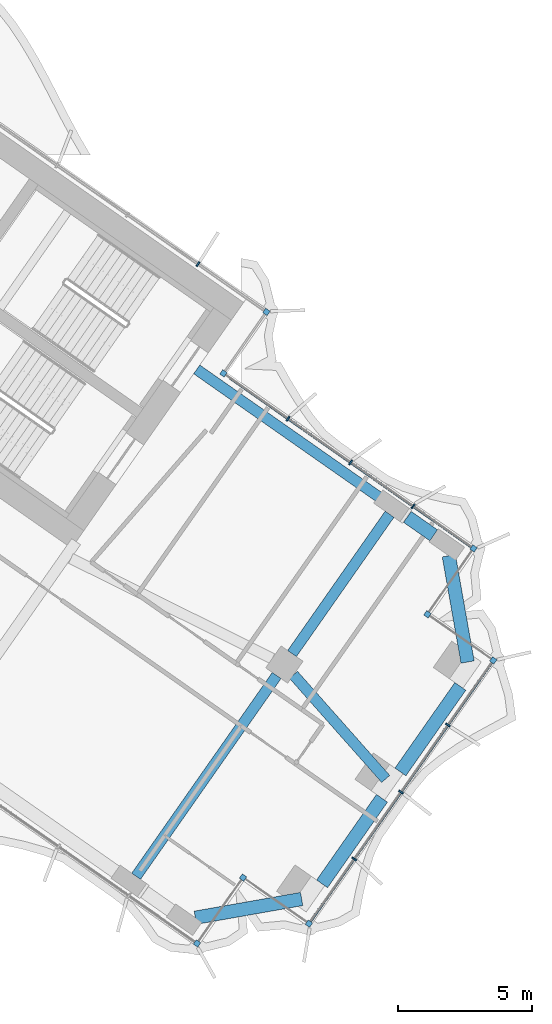
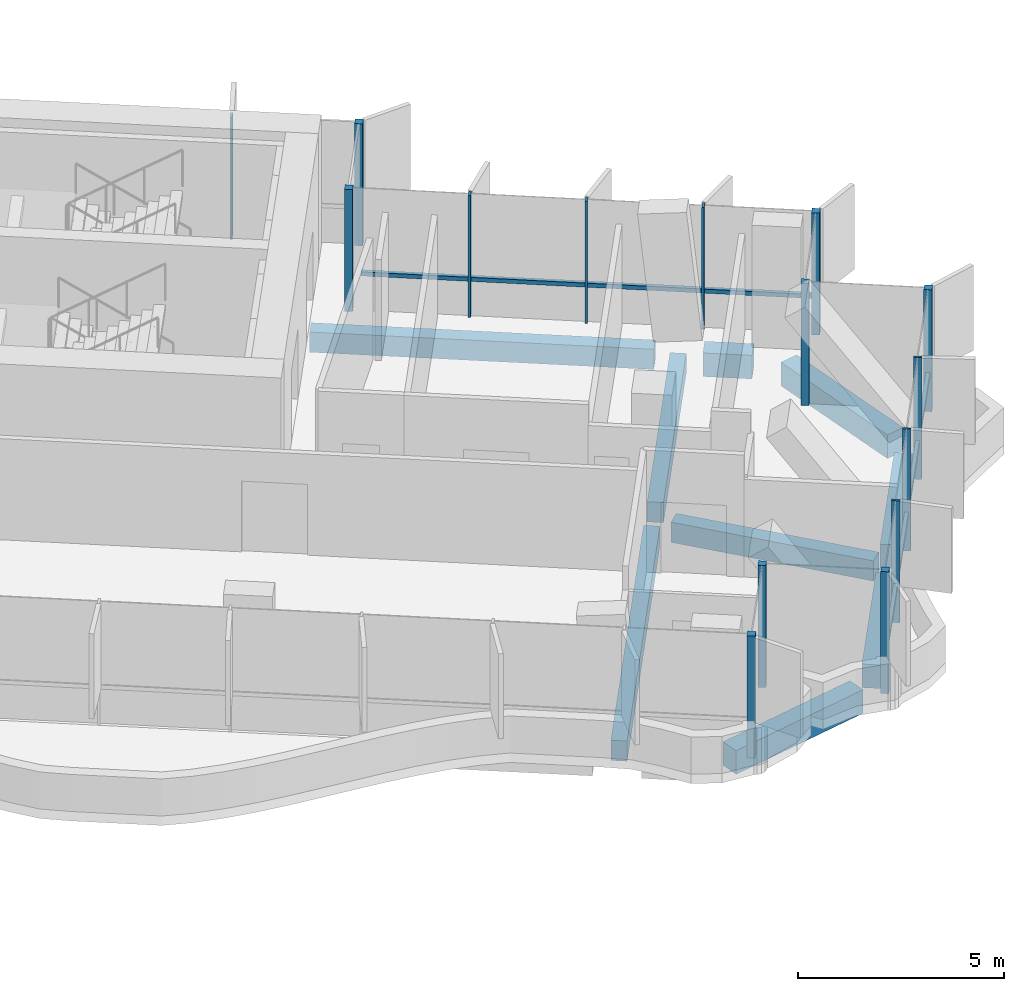
# One storey, part 11 of 23: 17 members, 9 beams, 2 elements without a shape of their own.
"""IFC4 building model written with IfcOpenShell, lengths in metres."""

from ifc_helpers import new_model, si_unit, direction, frame, origin, origin_2d, place, context, subcontext, project, spatial, rectangle, extrude, material, material_profile, profile_set, type_object, element, aggregate, save


model = new_model("IFC4")

# Units and contexts
model_context = context("Model", 3, precision=1e-05, world=origin(), true_north=direction((0.0, 1.0)))
body_context = subcontext(model_context, "Body", "Model", "MODEL_VIEW")
ifc_project = project(units=[si_unit("LENGTHUNIT", "METRE"), si_unit("AREAUNIT", "SQUARE_METRE"), si_unit("VOLUMEUNIT", "CUBIC_METRE"), si_unit("PLANEANGLEUNIT", "RADIAN"), si_unit("MASSUNIT", "GRAM", prefix="KILO")], contexts=[model_context])

# Site, building, storey
site_placement = place(None, origin())
site = spatial("IfcSite", under=ifc_project, at=site_placement, CompositionType="ELEMENT")
building_placement = place(site_placement, origin())
building = spatial("IfcBuilding", under=site, at=building_placement, Name="Tel Ilan Convention Tower", CompositionType="ELEMENT")
storey_placement = place(building_placement, frame((0.0, 0.0, 186.60009765625)))
storey = spatial("IfcBuildingStorey", under=building, at=storey_placement, Name="L43", CompositionType="ELEMENT", Elevation=186.60009765625)

# Beams
ifc_material_1 = material(Name="Concrete C40/50", Category="concrete")
ifc_material_profile_1 = material_profile(ifc_material_1, rectangle(XDim=0.39990234375, YDim=0.60009765625, at=origin_2d()), Name="RC 400x600")
ifc_profile_set_1 = profile_set([ifc_material_profile_1], Name="Concrete C40/50")
beam_type_1 = type_object("IfcBeamType", Name="Beam RC 400x600 Concrete C40/50", PredefinedType="BEAM", material=ifc_profile_set_1)
beam_1_placement = place(storey_placement, frame((33.09912109375, -14.44775390625, -0.580078125), z_axis=(-0.819147254605, 0.573583276668, 0.0), x_axis=(-0.573583276668, -0.819147254605, 0.0)))
element("IfcBeam", 1, at=beam_1_placement, inside=storey, type_object=beam_type_1, Name="L43 beam E-E-B4-core", PredefinedType="BEAM", context=body_context, shape_type="SweptSolid", body=[
    extrude(rectangle(XDim=0.39990234375, YDim=0.60009765625, at=origin_2d()), origin(), (0.0, 0.0, 1.0), 8.400146484375),
])
beam_2_placement = place(storey_placement, frame((29.830322265625, -21.03369140625, -0.580078125), z_axis=(0.663175252401, -0.748464150512, 0.0), x_axis=(0.748464150512, 0.663175252401, 0.0)))
element("IfcBeam", 2, at=beam_2_placement, inside=storey, type_object=beam_type_1, Name="L43 beam E-E-M4-end", PredefinedType="BEAM", context=body_context, shape_type="SweptSolid", body=[
    extrude(rectangle(XDim=0.39990234375, YDim=0.60009765625, at=origin_2d()), origin(), (0.0, 0.0, 1.0), 5.192626953125),
])
beam_3_placement = place(storey_placement, frame((29.20263671875, -21.058349609375, -0.580078125), z_axis=(-0.573557249804, -0.819165478519, 0.0), x_axis=(0.819165478519, -0.573557249804, 0.0)))
element("IfcBeam", 3, at=beam_3_placement, inside=storey, type_object=beam_type_1, Name="L43 beam E-E-M4-E-F4", PredefinedType="BEAM", context=body_context, shape_type="SweptSolid", body=[
    extrude(rectangle(XDim=0.39990234375, YDim=0.60009765625, at=origin_2d()), origin(), (0.0, 0.0, 1.0), 9.14990234375),
])
beam_4_placement = place(storey_placement, frame((29.7763671875, -20.2392578125, -0.580078125), z_axis=(0.573560394383, 0.819163276762, 0.0), x_axis=(-0.819163276762, 0.573560394383, 0.0)))
element("IfcBeam", 4, at=beam_4_placement, inside=storey, type_object=beam_type_1, Name="L43 beam E-E-M4-E-B4", PredefinedType="BEAM", context=body_context, shape_type="SweptSolid", body=[
    extrude(rectangle(XDim=0.39990234375, YDim=0.60009765625, at=origin_2d()), origin(), (0.0, 0.0, 1.0), 6.349853515625),
])
ifc_material_2 = material(Name="Concrete C40/50", Category="concrete")
ifc_material_profile_2 = material_profile(ifc_material_2, rectangle(XDim=0.5, YDim=0.699951171875, at=origin_2d()), Name="RC 500x700")
ifc_profile_set_2 = profile_set([ifc_material_profile_2], Name="Concrete C40/50")
beam_type_2 = type_object("IfcBeamType", Name="Beam RC 500x700 Concrete C40/50", PredefinedType="BEAM", material=ifc_profile_set_2)
beam_5_placement = place(storey_placement, frame((26.166259765625, -30.102294921875, -0.630126953125), z_axis=(0.984804894423, 0.173664388751, 0.0), x_axis=(-0.173664388751, 0.984804894423, 0.0)))
element("IfcBeam", 5, at=beam_5_placement, inside=storey, type_object=beam_type_2, Name="L43 beam E-E-FC-E-E1", PredefinedType="BEAM", context=body_context, shape_type="SweptSolid", body=[
    extrude(rectangle(XDim=0.5, YDim=0.699951171875, at=origin_2d()), origin(), (0.0, 0.0, 1.0), 4.030517578125),
])
for number, where, z_axis, x_axis, name in (
    (6, (30.8974609375, -28.837158203125, -0.630126953125), (0.573609383536, 0.819128973434, 0.0), (-0.819128973434, 0.573609383536, 0.0), "L43 beam E-E-E1-E-E2"),
    (7, (33.82275390625, -24.659423828125, -0.630126953125), (0.573567378001, 0.81915838694, 0.0), (-0.81915838694, 0.573567378001, 0.0), "L43 beam E-E-E2-E-E3"),
):
    element("IfcBeam", number, at=place(storey_placement, frame(where, z_axis=z_axis, x_axis=x_axis)), inside=storey, type_object=beam_type_2, Name=name, PredefinedType="BEAM", context=body_context, shape_type="SweptSolid", body=[
        extrude(rectangle(XDim=0.5, YDim=0.699951171875, at=origin_2d()), origin(), (0.0, 0.0, 1.0), 3.89990234375),
    ])
beam_6_placement = place(storey_placement, frame((36.330078125, -20.555419921875, -0.630126953125), z_axis=(-0.173664388751, 0.984804894423, 0.0), x_axis=(-0.984804894423, -0.173664388751, 0.0)))
element("IfcBeam", 8, at=beam_6_placement, inside=storey, type_object=beam_type_2, Name="L43 beam E-E-E3-E-BC", PredefinedType="BEAM", context=body_context, shape_type="SweptSolid", body=[
    extrude(rectangle(XDim=0.5, YDim=0.699951171875, at=origin_2d()), origin(), (0.0, 0.0, 1.0), 4.030517578125),
])
beam_7_placement = place(storey_placement, frame((35.06494140625, -15.82421875, -0.630126953125), z_axis=(-0.819155442668, 0.573571582932, 0.0), x_axis=(-0.573571582932, -0.819155442668, 0.0)))
element("IfcBeam", 9, at=beam_7_placement, inside=storey, type_object=beam_type_2, Name="L43 beam E-E-BC-E-B4", PredefinedType="BEAM", context=body_context, shape_type="SweptSolid", body=[
    extrude(rectangle(XDim=0.5, YDim=0.699951171875, at=origin_2d()), origin(), (0.0, 0.0, 1.0), 1.199951171875),
])

# Curtain wall, members
ifc_material_3 = material(Name="Aluminium, bronze anodised", Category="aluminium")
curtain_wall_type_1 = type_object("IfcCurtainWallType", Name="CW2 STICK CURTAIN WALL, SPANDREL PANELS", PredefinedType="NOTDEFINED", material=ifc_material_3)
curtain_wall_1_placement = place(storey_placement, origin())
curtain_wall_1 = element("IfcCurtainWall", 10, at=curtain_wall_1_placement, inside=storey, type_object=curtain_wall_type_1, Name="Curtain wall CW2-33.01", PredefinedType="NOTDEFINED")
ifc_material_4 = material(Name="Aluminium, bronze anodised", Category="aluminium")
ifc_material_profile_3 = material_profile(ifc_material_4, rectangle(XDim=0.199951171875, YDim=0.199951171875, at=origin_2d()), Name="CW CORNER MULLION 200x200")
ifc_profile_set_3 = profile_set([ifc_material_profile_3], Name="Aluminium, bronze anodised")
member_type_1 = type_object("IfcMemberType", Name="CW CORNER MULLION 200x200", PredefinedType="MULLION", material=ifc_profile_set_3)
member_1_placement = place(storey_placement, frame((27.213623046875, -9.77734375, 0.0), z_axis=(0.0, 0.0, 1.0), x_axis=(-0.819152044289, 0.573576436351, 0.0)))
member_1 = element("IfcMember", 11, at=member_1_placement, type_object=member_type_1, Name="Corner mullion", PredefinedType="MULLION", context=body_context, shape_type="SweptSolid", body=[
    extrude(rectangle(XDim=0.199951171875, YDim=0.199951171875, at=origin_2d()), origin(), (0.0, 0.0, 1.0), 3.619873046875),
])
member_2_placement = place(storey_placement, frame((28.819580078125, -7.483642578125, 0.0), z_axis=(0.0, 0.0, 1.0), x_axis=(0.573576436351, 0.819152044289, 0.0)))
member_2 = element("IfcMember", 12, at=member_2_placement, type_object=member_type_1, Name="Corner mullion", PredefinedType="MULLION", context=body_context, shape_type="SweptSolid", body=[
    extrude(rectangle(XDim=0.199951171875, YDim=0.199951171875, at=origin_2d()), origin(), (0.0, 0.0, 1.0), 3.619873046875),
])

ifc_material_5 = material(Name="Aluminium, bronze anodised", Category="aluminium")
curtain_wall_type_2 = type_object("IfcCurtainWallType", Name="CW4 STICK CURTAIN WALL, OFFICE TINTED GLASS", PredefinedType="NOTDEFINED", material=ifc_material_5)
curtain_wall_2_placement = place(storey_placement, origin())
curtain_wall_2 = element("IfcCurtainWall", 13, at=curtain_wall_2_placement, inside=storey, type_object=curtain_wall_type_2, Name="Curtain wall CW4-33.02", PredefinedType="NOTDEFINED")
member_3_placement = place(storey_placement, frame((26.2275390625, -31.060791015625, 0.0), z_axis=(0.0, 0.0, 1.0), x_axis=(0.819152044289, -0.573576436351, 0.0)))
member_3 = element("IfcMember", 14, at=member_3_placement, type_object=member_type_1, Name="Corner mullion", PredefinedType="MULLION", context=body_context, shape_type="SweptSolid", body=[
    extrude(rectangle(XDim=0.199951171875, YDim=0.199951171875, at=origin_2d()), origin(), (0.0, 0.0, 1.0), 3.619873046875),
])
member_4_placement = place(storey_placement, frame((27.9482421875, -28.603271484375, 0.0), z_axis=(0.0, 0.0, 1.0), x_axis=(0.573576436351, 0.819152044289, 0.0)))
member_4 = element("IfcMember", 15, at=member_4_placement, type_object=member_type_1, Name="Corner mullion", PredefinedType="MULLION", context=body_context, shape_type="SweptSolid", body=[
    extrude(rectangle(XDim=0.199951171875, YDim=0.199951171875, at=origin_2d()), origin(), (0.0, 0.0, 1.0), 3.619873046875),
])
member_5_placement = place(storey_placement, frame((30.40576171875, -30.323974609375, 0.0), z_axis=(0.0, 0.0, 1.0), x_axis=(0.819152044289, -0.573576436351, 0.0)))
member_5 = element("IfcMember", 16, at=member_5_placement, type_object=member_type_1, Name="Corner mullion", PredefinedType="MULLION", context=body_context, shape_type="SweptSolid", body=[
    extrude(rectangle(XDim=0.199951171875, YDim=0.199951171875, at=origin_2d()), origin(), (0.0, 0.0, 1.0), 3.619873046875),
])
member_6_placement = place(storey_placement, frame((37.28857421875, -20.494140625, 0.0), z_axis=(0.0, 0.0, 1.0), x_axis=(0.573576436351, 0.819152044289, 0.0)))
member_6 = element("IfcMember", 17, at=member_6_placement, type_object=member_type_1, Name="Corner mullion", PredefinedType="MULLION", context=body_context, shape_type="SweptSolid", body=[
    extrude(rectangle(XDim=0.199951171875, YDim=0.199951171875, at=origin_2d()), origin(), (0.0, 0.0, 1.0), 3.619873046875),
])
member_7_placement = place(storey_placement, frame((34.8310546875, -18.7734375, 0.0), z_axis=(0.0, 0.0, 1.0), x_axis=(-0.819152044289, 0.573576436351, 0.0)))
member_7 = element("IfcMember", 18, at=member_7_placement, type_object=member_type_1, Name="Corner mullion", PredefinedType="MULLION", context=body_context, shape_type="SweptSolid", body=[
    extrude(rectangle(XDim=0.199951171875, YDim=0.199951171875, at=origin_2d()), origin(), (0.0, 0.0, 1.0), 3.619873046875),
])
member_8_placement = place(storey_placement, frame((36.5517578125, -16.31591796875, 0.0), z_axis=(0.0, 0.0, 1.0), x_axis=(0.573576436351, 0.819152044289, 0.0)))
member_8 = element("IfcMember", 19, at=member_8_placement, type_object=member_type_1, Name="Corner mullion", PredefinedType="MULLION", context=body_context, shape_type="SweptSolid", body=[
    extrude(rectangle(XDim=0.199951171875, YDim=0.199951171875, at=origin_2d()), origin(), (0.0, 0.0, 1.0), 3.619873046875),
])

# Member
ifc_material_6 = material(Name="Aluminium, bronze anodised", Category="aluminium")
ifc_material_profile_4 = material_profile(ifc_material_6, rectangle(XDim=0.06005859375, YDim=0.199951171875, at=origin_2d()), Name="CW MULLION 60x200")
ifc_profile_set_4 = profile_set([ifc_material_profile_4], Name="Aluminium, bronze anodised")
member_type_2 = type_object("IfcMemberType", Name="CW MULLION 60x200", PredefinedType="MULLION", material=ifc_profile_set_4)
member_9_placement = place(storey_placement, frame((26.268798828125, -5.697509765625, 0.0), z_axis=(0.0, 0.0, 1.0), x_axis=(-0.819152044289, 0.573576436351, 0.0)))
member_9 = element("IfcMember", 20, at=member_9_placement, type_object=member_type_2, Name="Mullion", PredefinedType="MULLION", context=body_context, shape_type="SweptSolid", body=[
    extrude(rectangle(XDim=0.06005859375, YDim=0.199951171875, at=origin_2d()), origin(), (0.0, 0.0, 1.0), 3.619873046875),
])

aggregate(curtain_wall_1, [member_1, member_2, member_9])

member_10_placement = place(storey_placement, frame((32.09765625, -27.907470703125, 0.0), z_axis=(0.0, 0.0, 1.0), x_axis=(0.573576436351, 0.819152044289, 0.0)))
member_10 = element("IfcMember", 21, at=member_10_placement, type_object=member_type_2, Name="Mullion", PredefinedType="MULLION", context=body_context, shape_type="SweptSolid", body=[
    extrude(rectangle(XDim=0.06005859375, YDim=0.199951171875, at=origin_2d()), origin(), (0.0, 0.0, 1.0), 3.619873046875),
])

member_11_placement = place(storey_placement, frame((33.84716796875, -25.4091796875, 0.0), z_axis=(0.0, 0.0, 1.0), x_axis=(0.573576436351, 0.819152044289, 0.0)))
member_11 = element("IfcMember", 22, at=member_11_placement, type_object=member_type_2, Name="Mullion", PredefinedType="MULLION", context=body_context, shape_type="SweptSolid", body=[
    extrude(rectangle(XDim=0.06005859375, YDim=0.199951171875, at=origin_2d()), origin(), (0.0, 0.0, 1.0), 3.619873046875),
])

member_12_placement = place(storey_placement, frame((35.596435546875, -22.91064453125, 0.0), z_axis=(0.0, 0.0, 1.0), x_axis=(0.573576436351, 0.819152044289, 0.0)))
member_12 = element("IfcMember", 23, at=member_12_placement, type_object=member_type_2, Name="Mullion", PredefinedType="MULLION", context=body_context, shape_type="SweptSolid", body=[
    extrude(rectangle(XDim=0.06005859375, YDim=0.199951171875, at=origin_2d()), origin(), (0.0, 0.0, 1.0), 3.619873046875),
])

member_13_placement = place(storey_placement, frame((34.299072265625, -14.73876953125, 0.0), z_axis=(0.0, 0.0, 1.0), x_axis=(-0.819152044289, 0.573576436351, 0.0)))
member_13 = element("IfcMember", 24, at=member_13_placement, type_object=member_type_2, Name="Mullion", PredefinedType="MULLION", context=body_context, shape_type="SweptSolid", body=[
    extrude(rectangle(XDim=0.06005859375, YDim=0.199951171875, at=origin_2d()), origin(), (0.0, 0.0, 1.0), 3.619873046875),
])

member_14_placement = place(storey_placement, frame((31.964599609375, -13.10400390625, 0.0), z_axis=(0.0, 0.0, 1.0), x_axis=(-0.819152044289, 0.573576436351, 0.0)))
member_14 = element("IfcMember", 25, at=member_14_placement, type_object=member_type_2, Name="Mullion", PredefinedType="MULLION", context=body_context, shape_type="SweptSolid", body=[
    extrude(rectangle(XDim=0.06005859375, YDim=0.199951171875, at=origin_2d()), origin(), (0.0, 0.0, 1.0), 3.619873046875),
])

member_15_placement = place(storey_placement, frame((29.630126953125, -11.46923828125, 0.0), z_axis=(0.0, 0.0, 1.0), x_axis=(-0.819152044289, 0.573576436351, 0.0)))
member_15 = element("IfcMember", 26, at=member_15_placement, type_object=member_type_2, Name="Mullion", PredefinedType="MULLION", context=body_context, shape_type="SweptSolid", body=[
    extrude(rectangle(XDim=0.06005859375, YDim=0.199951171875, at=origin_2d()), origin(), (0.0, 0.0, 1.0), 3.619873046875),
])

ifc_material_7 = material(Name="Aluminium, bronze anodised", Category="aluminium")
ifc_material_profile_5 = material_profile(ifc_material_7, rectangle(XDim=0.10009765625, YDim=0.1201171875, at=origin_2d()), Name="CW TRANSOM 100x120")
ifc_profile_set_5 = profile_set([ifc_material_profile_5], Name="Aluminium, bronze anodised")
member_type_3 = type_object("IfcMemberType", Name="CW TRANSOM 100x120", PredefinedType="USERDEFINED", material=ifc_profile_set_5)
member_16_placement = place(storey_placement, frame((30.463134765625, -30.2421875, 1.099853515625), z_axis=(0.573567872435, 0.819158040741, 0.0), x_axis=(-0.819158040741, 0.573567872435, 0.0)))
member_16 = element("IfcMember", 27, at=member_16_placement, type_object=member_type_3, Name="Transom", ObjectType="TRANSOM", PredefinedType="USERDEFINED", context=body_context, shape_type="SweptSolid", body=[
    extrude(rectangle(XDim=0.10009765625, YDim=0.1201171875, at=origin_2d()), origin(), (0.0, 0.0, 1.0), 11.800048828125),
])

member_17_placement = place(storey_placement, frame((36.469970703125, -16.258544921875, 1.099853515625), z_axis=(-0.819154753687, 0.57357256691, 0.0), x_axis=(-0.57357256691, -0.819154753687, 0.0)))
member_17 = element("IfcMember", 28, at=member_17_placement, type_object=member_type_3, Name="Transom", ObjectType="TRANSOM", PredefinedType="USERDEFINED", context=body_context, shape_type="SweptSolid", body=[
    extrude(rectangle(XDim=0.10009765625, YDim=0.1201171875, at=origin_2d()), origin(), (0.0, 0.0, 1.0), 11.0),
])

aggregate(curtain_wall_2, [member_3, member_4, member_5, member_10, member_11, member_12, member_6, member_16, member_7, member_8, member_13, member_14, member_15, member_17])

save(model, "model.ifc")
